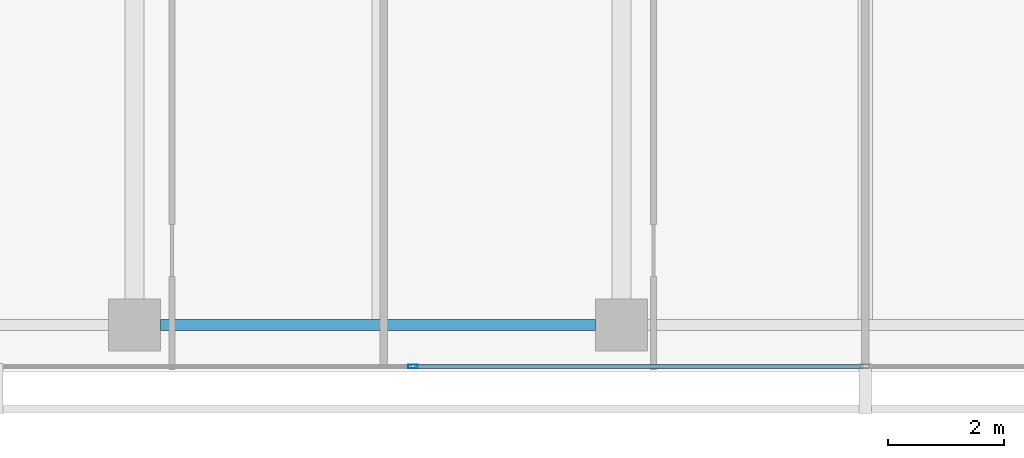
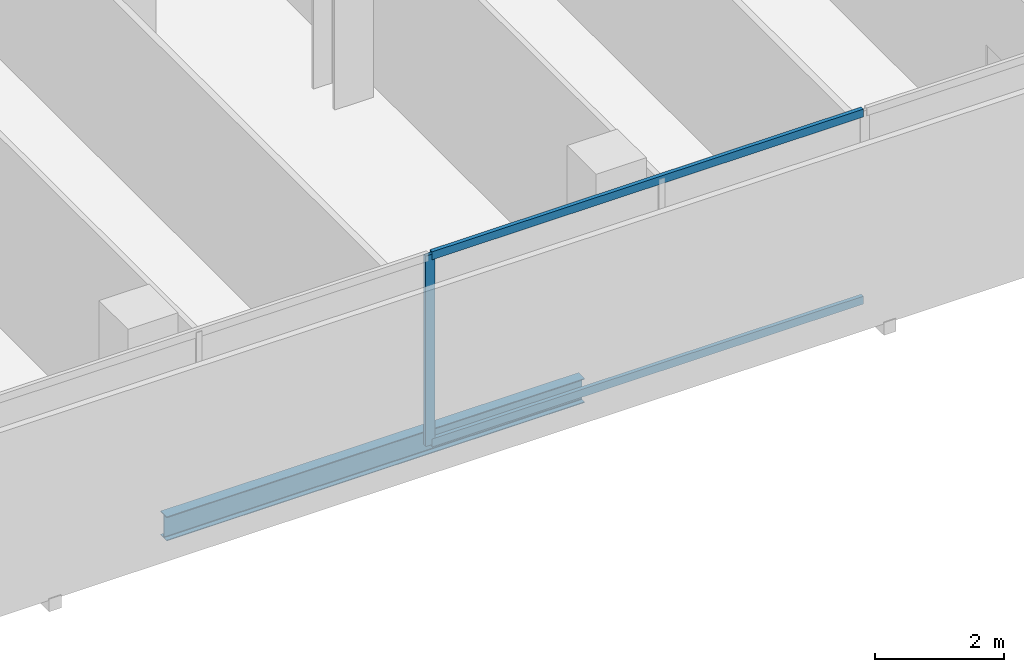
# One storey, part 7 of 40: 3 members, 1 beam, 1 element without a shape of its own.
"""IFC4 building model written with IfcOpenShell, lengths in metres."""

from ifc_helpers import new_model, si_unit, direction, frame, origin, origin_2d, place, context, subcontext, project, spatial, hollow_rectangle, i_section, extrude, material, layer, layer_set, material_profile, profile_set, type_object, element, aggregate, save


model = new_model("IFC4")

# Units and contexts
model_context = context("Model", 3, precision=1e-05, world=origin(), true_north=direction((0.0, 1.0)))
body_context = subcontext(model_context, "Body", "Model", "MODEL_VIEW")
ifc_project = project(units=[si_unit("LENGTHUNIT", "METRE"), si_unit("AREAUNIT", "SQUARE_METRE"), si_unit("VOLUMEUNIT", "CUBIC_METRE"), si_unit("PLANEANGLEUNIT", "RADIAN"), si_unit("MASSUNIT", "GRAM", prefix="KILO")], contexts=[model_context])

# Site, building, storey
site_placement = place(None, origin())
site = spatial("IfcSite", under=ifc_project, at=site_placement, CompositionType="ELEMENT")
building_placement = place(site_placement, origin())
building = spatial("IfcBuilding", under=site, at=building_placement, Name="Maruvema Waterfront Hotel and Observation Tower", CompositionType="ELEMENT")
storey_placement = place(building_placement, frame((0.0, 0.0, 50.050048828125)))
storey = spatial("IfcBuildingStorey", under=building, at=storey_placement, Name="L11", CompositionType="ELEMENT", Elevation=50.050048828125)

# Curtain wall, members
ifc_material_1 = material(Name="Anodised bronze aluminium and solar-control low-E IGU", Category="aluminium")
ifc_layer = layer(ifc_material_1, 0.159912109375, Name="Zone 1 Bronze Inner Thermal Curtain Wall System CW-02")
ifc_layer_set = layer_set([ifc_layer], Name="Anodised bronze aluminium and solar-control low-E IGU")
curtain_wall_type = type_object("IfcCurtainWallType", Name="Zone 1 Bronze Inner Thermal Curtain Wall System CW-02", PredefinedType="USERDEFINED", material=ifc_layer_set)
curtain_wall_placement = place(storey_placement, origin())
curtain_wall = element("IfcCurtainWall", 1, at=curtain_wall_placement, inside=storey, type_object=curtain_wall_type, Name="L11 Curtain Wall CW-L11-S", ObjectType="UNITISED CURTAIN WALL", PredefinedType="USERDEFINED")
ifc_material_2 = material(Name="Anodised architectural bronze aluminium", Category="aluminium")
ifc_material_profile_1 = material_profile(ifc_material_2, hollow_rectangle(XDim=0.070068359375, YDim=0.14990234375, WallThickness=0.00390625, at=origin_2d()), Name="ALU-T70x150")
ifc_profile_set_1 = profile_set([ifc_material_profile_1], Name="Anodised architectural bronze aluminium")
member_type_1 = type_object("IfcMemberType", Name="Curtain Wall Horizontal Transom ALU-T70x150", PredefinedType="USERDEFINED", material=ifc_profile_set_1)
member_1_placement = place(storey_placement, frame((30.030029296875, 0.080078125, 0.030029296875), z_axis=(1.0, 0.0, 0.0), x_axis=(0.0, 1.0, 0.0)))
member_1 = element("IfcMember", 2, at=member_1_placement, type_object=member_type_1, Name="CW-02 transom 3.1", ObjectType="TRANSOM", PredefinedType="USERDEFINED", context=body_context, shape_type="SweptSolid", body=[
    extrude(hollow_rectangle(XDim=0.070068359375, YDim=0.14990234375, WallThickness=0.00390625, at=origin_2d()), origin(), (0.0, 0.0, 1.0), 7.739990234375),
])
member_2_placement = place(storey_placement, frame((30.030029296875, 0.080078125, 3.579833984375), z_axis=(1.0, 0.0, 0.0), x_axis=(0.0, 1.0, 0.0)))
member_2 = element("IfcMember", 3, at=member_2_placement, type_object=member_type_1, Name="CW-02 transom 3.2", ObjectType="TRANSOM", PredefinedType="USERDEFINED", context=body_context, shape_type="SweptSolid", body=[
    extrude(hollow_rectangle(XDim=0.070068359375, YDim=0.14990234375, WallThickness=0.00390625, at=origin_2d()), origin(), (0.0, 0.0, 1.0), 7.739990234375),
])
ifc_material_3 = material(Name="Anodised architectural bronze aluminium", Category="aluminium")
ifc_material_profile_2 = material_profile(ifc_material_3, hollow_rectangle(XDim=0.06494140625, YDim=0.1650390625, WallThickness=0.00390625, at=origin_2d()), Name="ALU-M65x165")
ifc_profile_set_2 = profile_set([ifc_material_profile_2], Name="Anodised architectural bronze aluminium")
member_type_2 = type_object("IfcMemberType", Name="Curtain Wall Primary Mullion ALU-M65x165", PredefinedType="MULLION", material=ifc_profile_set_2)
member_3_placement = place(storey_placement, frame((30.0, 0.080078125, 0.0), z_axis=(0.0, 0.0, 1.0), x_axis=(0.0, 1.0, 0.0)))
member_3 = element("IfcMember", 4, at=member_3_placement, type_object=member_type_2, Name="CW-02 mullion 3", PredefinedType="MULLION", context=body_context, shape_type="SweptSolid", body=[
    extrude(hollow_rectangle(XDim=0.06494140625, YDim=0.1650390625, WallThickness=0.00390625, at=origin_2d()), origin(), (0.0, 0.0, 1.0), 3.60986328125),
])
aggregate(curtain_wall, [member_3, member_1, member_2])

# Beam
ifc_material_4 = material(Name="Steel ASTM A572 Grade 50", Category="steel")
ifc_material_profile_3 = material_profile(ifc_material_4, i_section(OverallWidth=0.18994140625, OverallDepth=0.45703125, WebThickness=0.009033203125, FlangeThickness=0.014404296875, FilletRadius=0.014892578125, at=origin_2d()), Name="W460x74.0")
ifc_profile_set_3 = profile_set([ifc_material_profile_3], Name="Steel ASTM A572 Grade 50")
beam_type = type_object("IfcBeamType", Name="Perimeter Spandrel Beam W460x74.0", PredefinedType="SPANDREL", material=ifc_profile_set_3)
beam_placement = place(storey_placement, frame((25.64990234375, 0.800048828125, -0.468505859375), z_axis=(1.0, 0.0, 0.0), x_axis=(0.0, 1.0, 0.0)))
element("IfcBeam", 5, at=beam_placement, inside=storey, type_object=beam_type, Name="L11 Floor Girder EW-02", PredefinedType="SPANDREL", context=body_context, shape_type="SweptSolid", body=[
    extrude(i_section(OverallWidth=0.18994140625, OverallDepth=0.45703125, WebThickness=0.009033203125, FlangeThickness=0.014404296875, FilletRadius=0.014892578125, at=origin_2d()), origin(), (0.0, 0.0, 1.0), 7.5),
])

save(model, "model.ifc")
